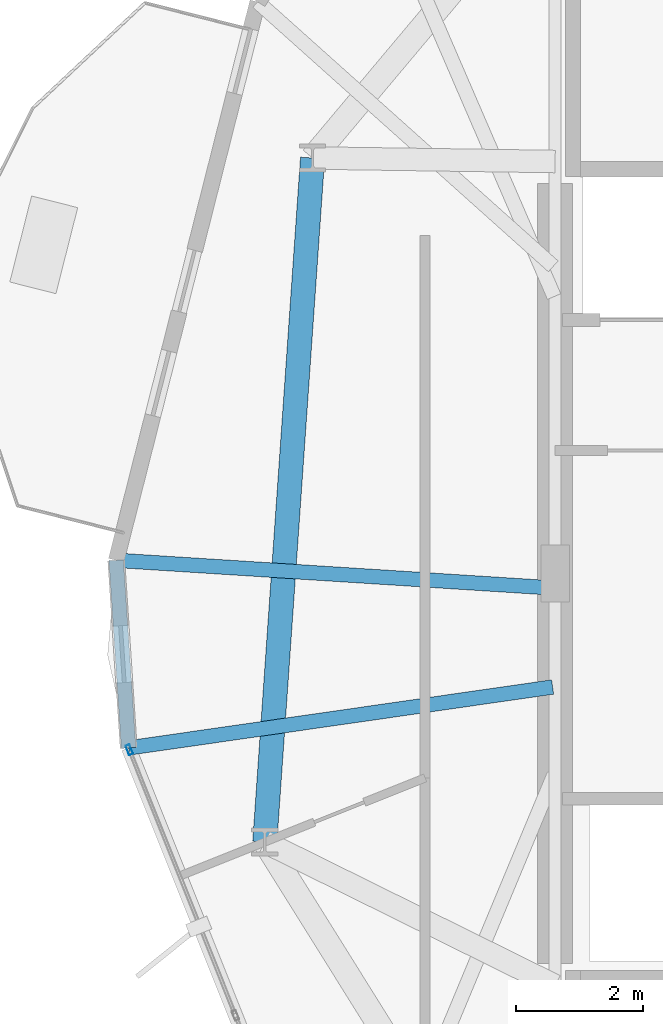
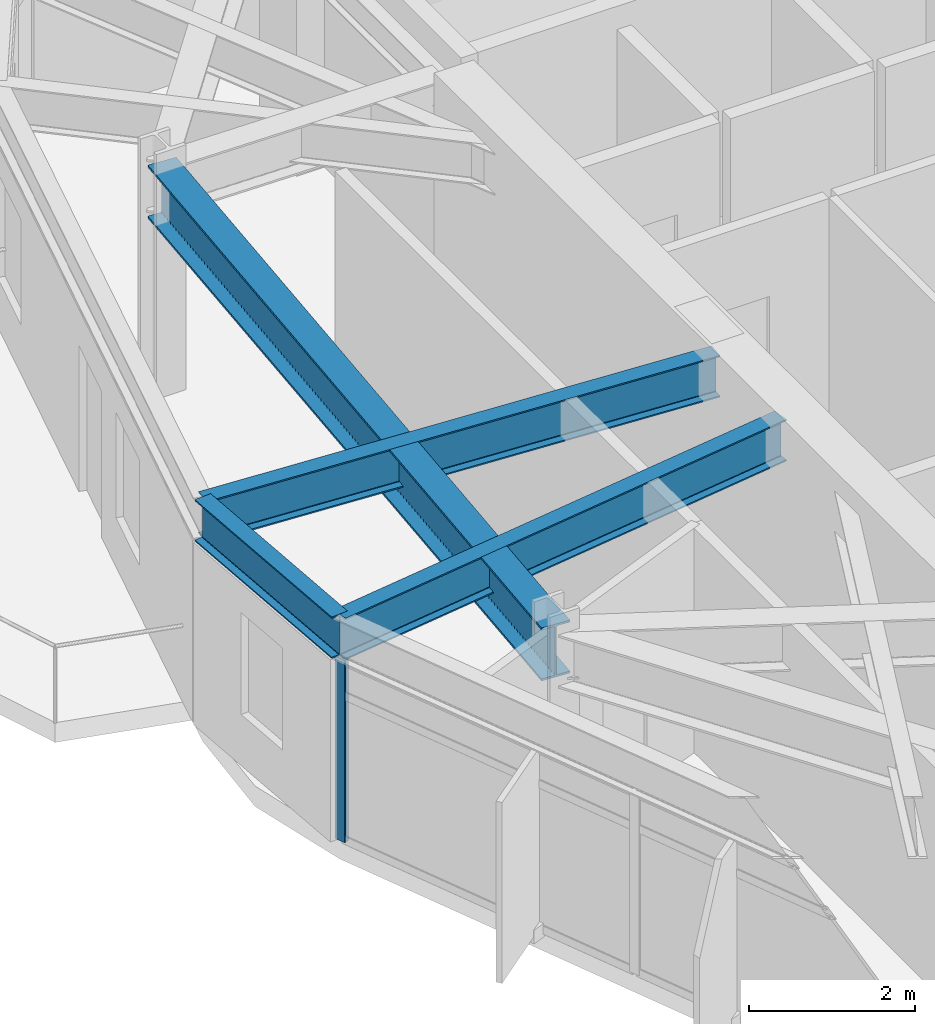
# One storey, part 7 of 24: 4 beams, 1 member, 1 element without a shape of its own.
"""IFC4 building model written with IfcOpenShell, lengths in metres."""

from ifc_helpers import new_model, si_unit, direction, frame, origin, origin_2d, place, context, subcontext, project, spatial, hollow_rectangle, i_section, extrude, material, layer, layer_set, material_profile, profile_set, type_object, element, aggregate, save


model = new_model("IFC4")

# Units and contexts
model_context = context("Model", 3, precision=1e-05, world=origin(), true_north=direction((0.0, 1.0)))
body_context = subcontext(model_context, "Body", "Model", "MODEL_VIEW")
ifc_project = project(units=[si_unit("LENGTHUNIT", "METRE"), si_unit("AREAUNIT", "SQUARE_METRE"), si_unit("VOLUMEUNIT", "CUBIC_METRE"), si_unit("PLANEANGLEUNIT", "RADIAN"), si_unit("MASSUNIT", "GRAM", prefix="KILO")], contexts=[model_context])

# Site, building, storey
site_placement = place(None, origin())
site = spatial("IfcSite", under=ifc_project, at=site_placement, CompositionType="ELEMENT")
building_placement = place(site_placement, origin())
building = spatial("IfcBuilding", under=site, at=building_placement, Name="Soratama Intermodal Tower", CompositionType="ELEMENT")
storey_placement = place(building_placement, frame((0.0, 0.0, 178.60009765625)))
storey = spatial("IfcBuildingStorey", under=building, at=storey_placement, Name="L44", CompositionType="ELEMENT", Elevation=178.60009765625)

# Beams
ifc_material_1 = material(Name="Structural steel ASTM A992 Grade 50", Category="steel")
ifc_material_profile_1 = material_profile(ifc_material_1, i_section(OverallWidth=0.382080078125, OverallDepth=0.779052734375, WebThickness=0.01806640625, FlangeThickness=0.030029296875, FilletRadius=0.01806640625, at=origin_2d()), Name="W30X191")
ifc_profile_set_1 = profile_set([ifc_material_profile_1], Name="Structural steel ASTM A992 Grade 50")
beam_type_1 = type_object("IfcBeamType", Name="BM-RING-W30X191", PredefinedType="BEAM", material=ifc_profile_set_1)
beam_1_placement = place(storey_placement, frame((28.77392578125, 31.555908203125, 2.910400390625), z_axis=(-0.069702217409, -0.99756784275, 0.0), x_axis=(0.99756784275, -0.069702217409, 0.0)))
element("IfcBeam", 1, at=beam_1_placement, inside=storey, type_object=beam_type_1, Name="BM-L44-RING-05", PredefinedType="BEAM", context=body_context, shape_type="SweptSolid", body=[
    extrude(i_section(OverallWidth=0.382080078125, OverallDepth=0.779052734375, WebThickness=0.01806640625, FlangeThickness=0.030029296875, FilletRadius=0.01806640625, at=origin_2d()), origin(), (0.0, 0.0, 1.0), 10.816162109375),
])
ifc_material_2 = material(Name="Structural steel ASTM A992 Grade 50", Category="steel")
ifc_material_profile_2 = material_profile(ifc_material_2, i_section(OverallWidth=0.22900390625, OverallDepth=0.612060546875, WebThickness=0.011962890625, FlangeThickness=0.01953125, FilletRadius=0.012939453125, at=origin_2d()), Name="W24X84")
ifc_profile_set_2 = profile_set([ifc_material_profile_2], Name="Structural steel ASTM A992 Grade 50")
beam_type_2 = type_object("IfcBeamType", Name="BM-SPN-W24X84", PredefinedType="SPANDREL", material=ifc_profile_set_2)
beam_2_placement = place(storey_placement, frame((25.676025390625, 25.2099609375, 2.993896484375), z_axis=(0.066087471808, -0.997813833373, 0.0), x_axis=(0.997813833373, 0.066087471808, 0.0)))
element("IfcBeam", 2, at=beam_2_placement, inside=storey, type_object=beam_type_2, Name="BS-L44-CRN04", PredefinedType="SPANDREL", context=body_context, shape_type="SweptSolid", body=[
    extrude(i_section(OverallWidth=0.22900390625, OverallDepth=0.612060546875, WebThickness=0.011962890625, FlangeThickness=0.01953125, FilletRadius=0.012939453125, at=origin_2d()), origin(), (0.0, 0.0, 1.0), 2.966552734375),
])
ifc_material_3 = material(Name="Structural steel ASTM A992 Grade 50", Category="steel")
ifc_material_profile_3 = material_profile(ifc_material_3, i_section(OverallWidth=0.22900390625, OverallDepth=0.612060546875, WebThickness=0.011962890625, FlangeThickness=0.01953125, FilletRadius=0.012939453125, at=origin_2d()), Name="W24X84")
ifc_profile_set_3 = profile_set([ifc_material_profile_3], Name="Structural steel ASTM A992 Grade 50")
beam_type_3 = type_object("IfcBeamType", Name="BM-TIE-W24X84", PredefinedType="BEAM", material=ifc_profile_set_3)
beam_3_placement = place(storey_placement, frame((32.56005859375, 24.77392578125, 2.993896484375), z_axis=(-0.998000033501, 0.063213393617, 0.0), x_axis=(-0.063213393617, -0.998000033501, 0.0)))
element("IfcBeam", 3, at=beam_3_placement, inside=storey, type_object=beam_type_3, Name="BM-L44-TIE1-04", PredefinedType="BEAM", context=body_context, shape_type="SweptSolid", body=[
    extrude(i_section(OverallWidth=0.22900390625, OverallDepth=0.612060546875, WebThickness=0.011962890625, FlangeThickness=0.01953125, FilletRadius=0.012939453125, at=origin_2d()), origin(), (0.0, 0.0, 1.0), 6.89794921875),
])
beam_4_placement = place(storey_placement, frame((32.56005859375, 23.2109375, 2.993896484375), z_axis=(-0.989834989848, -0.14222057823, 0.0), x_axis=(0.14222057823, -0.989834989848, 0.0)))
element("IfcBeam", 4, at=beam_4_placement, inside=storey, type_object=beam_type_3, Name="BM-L44-TIE0-05", PredefinedType="BEAM", context=body_context, shape_type="SweptSolid", body=[
    extrude(i_section(OverallWidth=0.22900390625, OverallDepth=0.612060546875, WebThickness=0.011962890625, FlangeThickness=0.01953125, FilletRadius=0.012939453125, at=origin_2d()), origin(), (0.0, 0.0, 1.0), 6.756591796875),
])

# Curtain wall, member
ifc_material_4 = material(Name="Double-glazed aluminium curtain wall", Category="aluminium")
ifc_layer = layer(ifc_material_4, 0.159912109375)
ifc_layer_set = layer_set([ifc_layer], Name="Double-glazed aluminium curtain wall")
curtain_wall_type = type_object("IfcCurtainWallType", Name="CW-SYS-4", PredefinedType="NOTDEFINED", material=ifc_layer_set)
curtain_wall_placement = place(storey_placement, origin())
curtain_wall = element("IfcCurtainWall", 5, at=curtain_wall_placement, inside=storey, type_object=curtain_wall_type, Name="L44 Faceted Curtain Wall F05", PredefinedType="NOTDEFINED")
ifc_material_5 = material(Name="Anodised aluminium AA 6063-T6", Category="aluminium")
ifc_material_profile_4 = material_profile(ifc_material_5, hollow_rectangle(XDim=0.070068359375, YDim=0.159912109375, WallThickness=0.0048828125, InnerFilletRadius=0.0048828125, OuterFilletRadius=0.010009765625, at=origin_2d()), Name="CWM160X70X5")
ifc_profile_set_4 = profile_set([ifc_material_profile_4], Name="Anodised aluminium AA 6063-T6")
member_type = type_object("IfcMemberType", Name="MT-CWM-4", PredefinedType="MULLION", material=ifc_profile_set_4)
member_placement = place(storey_placement, frame((25.8828125, 22.221923828125, 0.0), z_axis=(0.0, 0.0, 1.0), x_axis=(0.928617788795, 0.371037737075, 0.0)))
member = element("IfcMember", 6, at=member_placement, type_object=member_type, Name="CW-4 mullion 1", PredefinedType="MULLION", context=body_context, shape_type="SweptSolid", body=[
    extrude(hollow_rectangle(XDim=0.070068359375, YDim=0.159912109375, WallThickness=0.0048828125, InnerFilletRadius=0.0048828125, OuterFilletRadius=0.010009765625, at=origin_2d()), origin(), (0.0, 0.0, 1.0), 2.678955078125),
])
aggregate(curtain_wall, [member])

save(model, "model.ifc")
